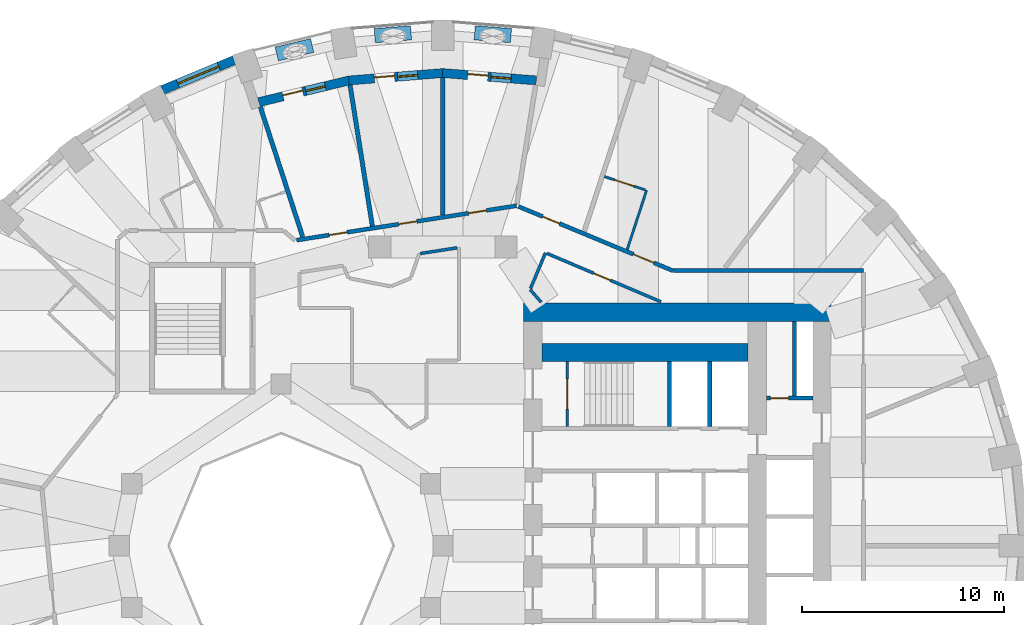
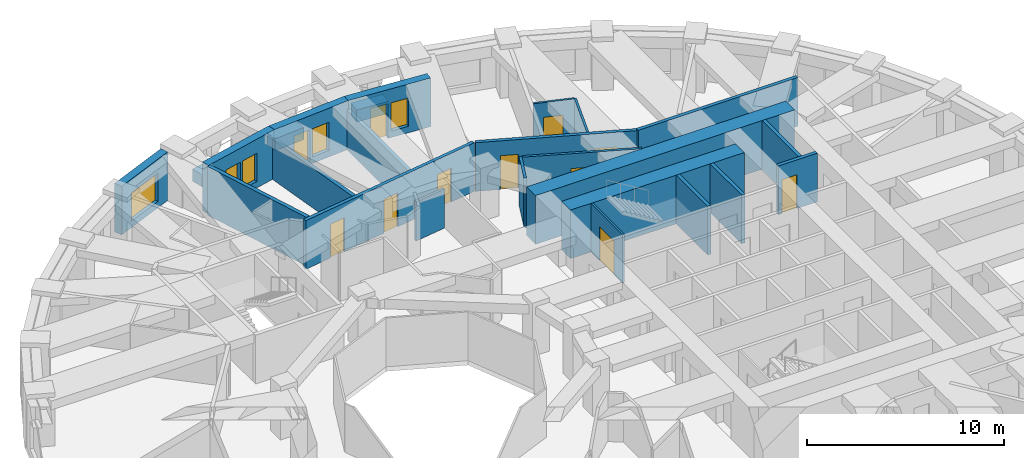
# One storey, part 8 of 13: 26 walls, 12 doors, 4 windows, 16 openings.
"""IFC4 building model written with IfcOpenShell, lengths in metres."""

from ifc_helpers import new_model, si_unit, direction, frame, frame_2d, origin, place, context, subcontext, project, spatial, rectangle, extrude, material, layer, layer_set, constituent, constituent_set, type_object, element, fill, save


model = new_model("IFC4")

# Units and contexts
model_context = context("Model", 3, precision=1e-05, world=origin(), true_north=direction((0.0, 1.0)))
body_context = subcontext(model_context, "Body", "Model", "MODEL_VIEW")
ifc_project = project(units=[si_unit("LENGTHUNIT", "METRE"), si_unit("AREAUNIT", "SQUARE_METRE"), si_unit("VOLUMEUNIT", "CUBIC_METRE"), si_unit("PLANEANGLEUNIT", "RADIAN"), si_unit("MASSUNIT", "GRAM", prefix="KILO")], contexts=[model_context])

# Site, building, storey
site_placement = place(None, origin())
site = spatial("IfcSite", under=ifc_project, at=site_placement, CompositionType="ELEMENT")
building_placement = place(site_placement, origin())
building = spatial("IfcBuilding", under=site, at=building_placement, Name="Taillehof Tower", CompositionType="ELEMENT")
storey_placement = place(building_placement, frame((0.0, 0.0, 58.0)))
storey = spatial("IfcBuildingStorey", under=building, at=storey_placement, Name="L15", CompositionType="ELEMENT", Elevation=58.0)

# Wall, opening, window
ifc_material_1 = material(Name="Brick masonry", Category="masonry")
ifc_layer_1 = layer(ifc_material_1, 0.449951171875)
ifc_layer_set_1 = layer_set([ifc_layer_1], Name="Brick infill wall 450")
wall_type_1 = type_object("IfcWallType", Name="Brick infill wall 450", PredefinedType="SOLIDWALL", material=ifc_layer_set_1)
wall_1_placement = place(storey_placement, frame((-10.3154296875, 24.02099609375, 0.0), z_axis=(0.0, 0.0, 1.0), x_axis=(-0.923031964282, -0.384723267966, 0.0)))
wall_1 = element("IfcWall", 1, at=wall_1_placement, inside=storey, type_object=wall_type_1, Name="Brick wall L15 bay 12", PredefinedType="SOLIDWALL", context=body_context, shape_type="SweptSolid", body=[
    extrude(rectangle(XDim=3.8564453125, YDim=0.449951171875, at=frame_2d((1.92822265625, 0.0))), origin(), (0.0, 0.0, 1.0), 3.02001953125),
])
opening_1_placement = place(wall_1_placement, frame((0.828125, 0.0, 0.39990234375)))
opening_1 = element("IfcOpeningElement", 2, at=opening_1_placement, cuts=wall_1, Name="Opening W1", PredefinedType="OPENING", context=body_context, shape_type="SweptSolid", body=[
    extrude(rectangle(XDim=2.199951171875, YDim=1.75, at=frame_2d((1.10009765625, 0.875))), frame((0.0, 0.23486328125, 0.0), z_axis=(0.0, -1.0, 0.0), x_axis=(1.0, 0.0, 0.0)), (0.0, 0.0, 1.0), 0.469970703125),
])
ifc_material_2 = material(Name="Aluminium window frame with clear double glazing", Category="aluminium")
window_type_1 = type_object("IfcWindowType", Name="Deep-set window 2200x1750", PartitioningType="SINGLE_PANEL", PredefinedType="WINDOW", material=ifc_material_2)
window_1_placement = place(opening_1_placement, origin())
window_1 = element("IfcWindow", 3, at=window_1_placement, inside=storey, type_object=window_type_1, Name="W1", OverallHeight=1.75, OverallWidth=2.199951171875, PartitioningType="SINGLE_PANEL", PredefinedType="WINDOW", context=body_context, shape_type="SweptSolid", body=[
    extrude(rectangle(XDim=2.199951171875, YDim=1.75, at=frame_2d((1.10009765625, 0.875))), frame((0.0, 0.034912109375, 0.0), z_axis=(0.0, -1.0, 0.0), x_axis=(1.0, 0.0, 0.0)), (0.0, 0.0, 1.0), 0.06005859375),
])
fill(opening_1, window_1)

# Wall, openings, door, window
wall_2_placement = place(storey_placement, frame((4.625732421875, 23.011474609375, 0.0), z_axis=(0.0, 0.0, 1.0), x_axis=(-0.996937095772, 0.078207589615, 0.0)))
wall_2 = element("IfcWall", 4, at=wall_2_placement, inside=storey, type_object=wall_type_1, Name="Brick wall L15 pocket bay 9", PredefinedType="SOLIDWALL", context=body_context, shape_type="SweptSolid", body=[
    extrude(rectangle(XDim=4.657470703125, YDim=0.449951171875, at=frame_2d((2.32861328125, 0.0))), origin(), (0.0, 0.0, 1.0), 3.02001953125),
])
opening_2_placement = place(wall_2_placement, frame((1.25390625, 0.0, 0.39990234375)))
opening_2 = element("IfcOpeningElement", 5, at=opening_2_placement, cuts=wall_2, Name="Opening W5", PredefinedType="OPENING", context=body_context, shape_type="SweptSolid", body=[
    extrude(rectangle(XDim=1.0, YDim=1.75, at=frame_2d((0.5, 0.875))), frame((0.0, 0.23486328125, 0.0), z_axis=(0.0, -1.0, 0.0), x_axis=(1.0, 0.0, 0.0)), (0.0, 0.0, 1.0), 0.469970703125),
])
opening_3_placement = place(wall_2_placement, frame((2.40380859375, 0.0, 0.0)))
opening_3 = element("IfcOpeningElement", 6, at=opening_3_placement, cuts=wall_2, Name="Opening D1591", PredefinedType="OPENING", context=body_context, shape_type="SweptSolid", body=[
    extrude(rectangle(XDim=1.0, YDim=2.14990234375, at=frame_2d((0.5, 1.074951171875))), frame((0.0, 0.23486328125, 0.0), z_axis=(0.0, -1.0, 0.0), x_axis=(1.0, 0.0, 0.0)), (0.0, 0.0, 1.0), 0.469970703125),
])
ifc_material_3 = material(Name="Aluminium door frame with clear double glazing", Category="aluminium")
door_type_1 = type_object("IfcDoorType", Name="Balcony door 1000x2150", OperationType="SINGLE_SWING_RIGHT", PredefinedType="DOOR", material=ifc_material_3)
door_1_placement = place(opening_3_placement, frame((1.0, 0.0, 0.0), z_axis=(0.0, 0.0, 1.0), x_axis=(-1.0, 0.0, 0.0)))
door_1 = element("IfcDoor", 7, at=door_1_placement, inside=storey, type_object=door_type_1, Name="Balcony door L15 bay 9", OperationType="SINGLE_SWING_RIGHT", OverallHeight=2.14990234375, OverallWidth=1.0, PredefinedType="DOOR", context=body_context, shape_type="SweptSolid", body=[
    extrude(rectangle(XDim=1.0, YDim=2.14990234375, at=frame_2d((0.5, 1.074951171875))), frame((0.0, 0.0751953125, 0.0), z_axis=(0.0, -1.0, 0.0), x_axis=(1.0, 0.0, 0.0)), (0.0, 0.0, 1.0), 0.050048828125),
])
fill(opening_3, door_1)
ifc_material_4 = material(Name="Aluminium window frame with clear double glazing", Category="aluminium")
window_type_2 = type_object("IfcWindowType", Name="Fixed window 1000x1750", PartitioningType="SINGLE_PANEL", PredefinedType="WINDOW", material=ifc_material_4)
window_2_placement = place(opening_2_placement, origin())
window_2 = element("IfcWindow", 8, at=window_2_placement, inside=storey, type_object=window_type_2, Name="W5", OverallHeight=1.75, OverallWidth=1.0, PartitioningType="SINGLE_PANEL", PredefinedType="WINDOW", context=body_context, shape_type="SweptSolid", body=[
    extrude(rectangle(XDim=1.0, YDim=1.75, at=frame_2d((0.5, 0.875))), frame((0.0, 0.034912109375, 0.0), z_axis=(0.0, -1.0, 0.0), x_axis=(1.0, 0.0, 0.0)), (0.0, 0.0, 1.0), 0.06005859375),
])
fill(opening_2, window_2)

wall_3_placement = place(storey_placement, frame((0.017578125, 23.375732421875, 0.0), z_axis=(0.0, 0.0, 1.0), x_axis=(-0.996935982964, -0.078221773648, 0.0)))
wall_3 = element("IfcWall", 9, at=wall_3_placement, inside=storey, type_object=wall_type_1, Name="Brick wall L15 pocket bay 10", PredefinedType="SOLIDWALL", context=body_context, shape_type="SweptSolid", body=[
    extrude(rectangle(XDim=4.675537109375, YDim=0.449951171875, at=frame_2d((2.337890625, 0.0))), origin(), (0.0, 0.0, 1.0), 3.02001953125),
])
opening_4_placement = place(wall_3_placement, frame((1.2626953125, 0.0, 0.39990234375)))
opening_4 = element("IfcOpeningElement", 10, at=opening_4_placement, cuts=wall_3, Name="Opening W5", PredefinedType="OPENING", context=body_context, shape_type="SweptSolid", body=[
    extrude(rectangle(XDim=1.0, YDim=1.75, at=frame_2d((0.5, 0.875))), frame((0.0, 0.23486328125, 0.0), z_axis=(0.0, -1.0, 0.0), x_axis=(1.0, 0.0, 0.0)), (0.0, 0.0, 1.0), 0.469970703125),
])
opening_5_placement = place(wall_3_placement, frame((2.41259765625, 0.0, 0.0)))
opening_5 = element("IfcOpeningElement", 11, at=opening_5_placement, cuts=wall_3, Name="Opening D1592", PredefinedType="OPENING", context=body_context, shape_type="SweptSolid", body=[
    extrude(rectangle(XDim=1.0, YDim=2.14990234375, at=frame_2d((0.5, 1.074951171875))), frame((0.0, 0.23486328125, 0.0), z_axis=(0.0, -1.0, 0.0), x_axis=(1.0, 0.0, 0.0)), (0.0, 0.0, 1.0), 0.469970703125),
])
door_2_placement = place(opening_5_placement, frame((1.0, 0.0, 0.0), z_axis=(0.0, 0.0, 1.0), x_axis=(-1.0, 0.0, 0.0)))
door_2 = element("IfcDoor", 12, at=door_2_placement, inside=storey, type_object=door_type_1, Name="Balcony door L15 bay 10", OperationType="SINGLE_SWING_LEFT", OverallHeight=2.14990234375, OverallWidth=1.0, PredefinedType="DOOR", context=body_context, shape_type="SweptSolid", body=[
    extrude(rectangle(XDim=1.0, YDim=2.14990234375, at=frame_2d((0.5, 1.074951171875))), frame((0.0, 0.0751953125, 0.0), z_axis=(0.0, -1.0, 0.0), x_axis=(1.0, 0.0, 0.0)), (0.0, 0.0, 1.0), 0.050048828125),
])
fill(opening_5, door_2)
window_3_placement = place(opening_4_placement, origin())
window_3 = element("IfcWindow", 13, at=window_3_placement, inside=storey, type_object=window_type_2, Name="W5", OverallHeight=1.75, OverallWidth=1.0, PartitioningType="SINGLE_PANEL", PredefinedType="WINDOW", context=body_context, shape_type="SweptSolid", body=[
    extrude(rectangle(XDim=1.0, YDim=1.75, at=frame_2d((0.5, 0.875))), frame((0.0, 0.034912109375, 0.0), z_axis=(0.0, -1.0, 0.0), x_axis=(1.0, 0.0, 0.0)), (0.0, 0.0, 1.0), 0.06005859375),
])
fill(opening_4, window_3)

wall_4_placement = place(storey_placement, frame((-4.6083984375, 23.015625, 0.0), z_axis=(0.0, 0.0, 1.0), x_axis=(-0.972343667289, -0.233554688847, 0.0)))
wall_4 = element("IfcWall", 14, at=wall_4_placement, inside=storey, type_object=wall_type_1, Name="Brick wall L15 pocket bay 11", PredefinedType="SOLIDWALL", context=body_context, shape_type="SweptSolid", body=[
    extrude(rectangle(XDim=4.62353515625, YDim=0.449951171875, at=frame_2d((2.311767578125, 0.0))), origin(), (0.0, 0.0, 1.0), 3.02001953125),
])
opening_6_placement = place(wall_4_placement, frame((1.23681640625, 0.0, 0.39990234375)))
opening_6 = element("IfcOpeningElement", 15, at=opening_6_placement, cuts=wall_4, Name="Opening W5", PredefinedType="OPENING", context=body_context, shape_type="SweptSolid", body=[
    extrude(rectangle(XDim=1.0, YDim=1.75, at=frame_2d((0.5, 0.875))), frame((0.0, 0.23486328125, 0.0), z_axis=(0.0, -1.0, 0.0), x_axis=(1.0, 0.0, 0.0)), (0.0, 0.0, 1.0), 0.469970703125),
])
opening_7_placement = place(wall_4_placement, frame((2.38671875, 0.0, 0.0)))
opening_7 = element("IfcOpeningElement", 16, at=opening_7_placement, cuts=wall_4, Name="Opening D1593", PredefinedType="OPENING", context=body_context, shape_type="SweptSolid", body=[
    extrude(rectangle(XDim=1.0, YDim=2.14990234375, at=frame_2d((0.5, 1.074951171875))), frame((0.0, 0.23486328125, 0.0), z_axis=(0.0, -1.0, 0.0), x_axis=(1.0, 0.0, 0.0)), (0.0, 0.0, 1.0), 0.469970703125),
])
door_3_placement = place(opening_7_placement, frame((1.0, 0.0, 0.0), z_axis=(0.0, 0.0, 1.0), x_axis=(-1.0, 0.0, 0.0)))
door_3 = element("IfcDoor", 17, at=door_3_placement, inside=storey, type_object=door_type_1, Name="Balcony door L15 bay 11", OperationType="SINGLE_SWING_LEFT", OverallHeight=2.14990234375, OverallWidth=1.0, PredefinedType="DOOR", context=body_context, shape_type="SweptSolid", body=[
    extrude(rectangle(XDim=1.0, YDim=2.14990234375, at=frame_2d((0.5, 1.074951171875))), frame((0.0, 0.0751953125, 0.0), z_axis=(0.0, -1.0, 0.0), x_axis=(1.0, 0.0, 0.0)), (0.0, 0.0, 1.0), 0.050048828125),
])
fill(opening_7, door_3)
window_4_placement = place(opening_6_placement, origin())
window_4 = element("IfcWindow", 18, at=window_4_placement, inside=storey, type_object=window_type_2, Name="W5", OverallHeight=1.75, OverallWidth=1.0, PartitioningType="SINGLE_PANEL", PredefinedType="WINDOW", context=body_context, shape_type="SweptSolid", body=[
    extrude(rectangle(XDim=1.0, YDim=1.75, at=frame_2d((0.5, 0.875))), frame((0.0, 0.034912109375, 0.0), z_axis=(0.0, -1.0, 0.0), x_axis=(1.0, 0.0, 0.0)), (0.0, 0.0, 1.0), 0.06005859375),
])
fill(opening_6, window_4)

# Wall, opening, door
ifc_material_5 = material(Name="Calcium silicate masonry", Category="masonry")
ifc_layer_2 = layer(ifc_material_5, 0.199951171875)
ifc_layer_set_2 = layer_set([ifc_layer_2], Name="Compartment wall calcium silicate 200")
wall_type_2 = type_object("IfcWallType", Name="Compartment wall calcium silicate 200", PredefinedType="PARTITIONING", material=ifc_layer_set_2)
wall_5_placement = place(storey_placement, frame((16.0, 7.300048828125, 0.0), z_axis=(0.0, 0.0, 1.0), x_axis=(1.0, 0.0, 0.0)))
wall_5 = element("IfcWall", 19, at=wall_5_placement, inside=storey, type_object=wall_type_2, Name="Compartment wall FW", PredefinedType="PARTITIONING", context=body_context, shape_type="SweptSolid", body=[
    extrude(rectangle(XDim=2.300048828125, YDim=0.199951171875, at=frame_2d((1.14990234375, 0.0))), origin(), (0.0, 0.0, 1.0), 3.02001953125),
])
opening_8_placement = place(wall_5_placement, frame((0.199951171875, 0.0, 0.0)))
opening_8 = element("IfcOpeningElement", 20, at=opening_8_placement, cuts=wall_5, Name="Opening D1516", PredefinedType="OPENING", context=body_context, shape_type="SweptSolid", body=[
    extrude(rectangle(XDim=0.89990234375, YDim=2.10009765625, at=frame_2d((0.449951171875, 1.050048828125))), frame((0.0, 0.10986328125, 0.0), z_axis=(0.0, -1.0, 0.0), x_axis=(1.0, 0.0, 0.0)), (0.0, 0.0, 1.0), 0.219970703125),
])
ifc_material_6 = material(Name="Steel-faced fire door", Category="steel")
door_type_2 = type_object("IfcDoorType", Name="Riser and service room door 900x2100", OperationType="SINGLE_SWING_LEFT", PredefinedType="DOOR", material=ifc_material_6)
door_4_placement = place(opening_8_placement, origin())
door_4 = element("IfcDoor", 21, at=door_4_placement, inside=storey, type_object=door_type_2, Name="Door Store", OperationType="SINGLE_SWING_RIGHT", OverallHeight=2.10009765625, OverallWidth=0.89990234375, PredefinedType="DOOR", context=body_context, shape_type="SweptSolid", body=[
    extrude(rectangle(XDim=0.89990234375, YDim=2.10009765625, at=frame_2d((0.449951171875, 1.050048828125))), frame((0.0, 0.02490234375, 0.0), z_axis=(0.0, -1.0, 0.0), x_axis=(1.0, 0.0, 0.0)), (0.0, 0.0, 1.0), 0.050048828125),
])
fill(opening_8, door_4)

# Wall
wall_6_placement = place(storey_placement, frame((17.39990234375, 7.39990234375, 0.0), z_axis=(0.0, 0.0, 1.0), x_axis=(0.0, 1.0, 0.0)))
element("IfcWall", 22, at=wall_6_placement, inside=storey, type_object=wall_type_2, Name="Compartment wall FW", PredefinedType="PARTITIONING", context=body_context, shape_type="SweptSolid", body=[
    extrude(rectangle(XDim=3.7001953125, YDim=0.199951171875, at=frame_2d((1.85009765625, 0.0))), origin(), (0.0, 0.0, 1.0), 3.02001953125),
])

# Wall, openings, doors
ifc_material_7 = material(Name="Gypsum board on steel studs, two layers each side", Category="steel")
ifc_layer_3 = layer(ifc_material_7, 0.199951171875)
ifc_layer_set_3 = layer_set([ifc_layer_3], Name="Compartment wall corridor 200")
wall_type_3 = type_object("IfcWallType", Name="Compartment wall corridor 200", PredefinedType="PARTITIONING", material=ifc_layer_set_3)
wall_7_placement = place(storey_placement, frame((-7.233642578125, 15.1103515625, 0.0), z_axis=(0.0, 0.0, 1.0), x_axis=(0.987957763282, 0.154723811906, 0.0)))
wall_7 = element("IfcWall", 23, at=wall_7_placement, inside=storey, type_object=wall_type_3, Name="Compartment wall", PredefinedType="PARTITIONING", context=body_context, shape_type="SweptSolid", body=[
    extrude(rectangle(XDim=11.01220703125, YDim=0.199951171875, at=frame_2d((5.506103515625, 0.0))), origin(), (0.0, 0.0, 1.0), 3.02001953125),
])
opening_9_placement = place(wall_7_placement, frame((8.604736328125, 0.0, 0.0)))
opening_9 = element("IfcOpeningElement", 24, at=opening_9_placement, cuts=wall_7, Name="Opening D1543", PredefinedType="OPENING", context=body_context, shape_type="SweptSolid", body=[
    extrude(rectangle(XDim=0.89990234375, YDim=2.10009765625, at=frame_2d((0.449951171875, 1.050048828125))), frame((0.0, 0.10986328125, 0.0), z_axis=(0.0, -1.0, 0.0), x_axis=(1.0, 0.0, 0.0)), (0.0, 0.0, 1.0), 0.219970703125),
])
opening_10_placement = place(wall_7_placement, frame((5.11572265625, 0.0, 0.0)))
opening_10 = element("IfcOpeningElement", 25, at=opening_10_placement, cuts=wall_7, Name="Opening D1544", PredefinedType="OPENING", context=body_context, shape_type="SweptSolid", body=[
    extrude(rectangle(XDim=0.89990234375, YDim=2.10009765625, at=frame_2d((0.449951171875, 1.050048828125))), frame((0.0, 0.10986328125, 0.0), z_axis=(0.0, -1.0, 0.0), x_axis=(1.0, 0.0, 0.0)), (0.0, 0.0, 1.0), 0.219970703125),
])
opening_11_placement = place(wall_7_placement, frame((1.62646484375, 0.0, 0.0)))
opening_11 = element("IfcOpeningElement", 26, at=opening_11_placement, cuts=wall_7, Name="Opening D1545", PredefinedType="OPENING", context=body_context, shape_type="SweptSolid", body=[
    extrude(rectangle(XDim=0.89990234375, YDim=2.10009765625, at=frame_2d((0.449951171875, 1.050048828125))), frame((0.0, 0.10986328125, 0.0), z_axis=(0.0, -1.0, 0.0), x_axis=(1.0, 0.0, 0.0)), (0.0, 0.0, 1.0), 0.219970703125),
])
ifc_material_8 = material(Name="Timber door leaf in steel frame", Category="steel")
door_type_3 = type_object("IfcDoorType", Name="Service room door EI 30 900 x 2100", OperationType="SINGLE_SWING_LEFT", PredefinedType="DOOR", material=ifc_material_8)
door_5_placement = place(opening_9_placement, origin())
door_5 = element("IfcDoor", 27, at=door_5_placement, inside=storey, type_object=door_type_3, Name="D1543", OperationType="SINGLE_SWING_LEFT", OverallHeight=2.10009765625, OverallWidth=0.89990234375, PredefinedType="DOOR", context=body_context, shape_type="SweptSolid", body=[
    extrude(rectangle(XDim=0.89990234375, YDim=2.10009765625, at=frame_2d((0.449951171875, 1.050048828125))), frame((0.0, 0.02490234375, 0.0), z_axis=(0.0, -1.0, 0.0), x_axis=(1.0, 0.0, 0.0)), (0.0, 0.0, 1.0), 0.050048828125),
])
fill(opening_9, door_5)
door_6_placement = place(opening_10_placement, origin())
door_6 = element("IfcDoor", 28, at=door_6_placement, inside=storey, type_object=door_type_3, Name="D1544", OperationType="SINGLE_SWING_LEFT", OverallHeight=2.10009765625, OverallWidth=0.89990234375, PredefinedType="DOOR", context=body_context, shape_type="SweptSolid", body=[
    extrude(rectangle(XDim=0.89990234375, YDim=2.10009765625, at=frame_2d((0.449951171875, 1.050048828125))), frame((0.0, 0.02490234375, 0.0), z_axis=(0.0, -1.0, 0.0), x_axis=(1.0, 0.0, 0.0)), (0.0, 0.0, 1.0), 0.050048828125),
])
fill(opening_10, door_6)
door_7_placement = place(opening_11_placement, origin())
door_7 = element("IfcDoor", 29, at=door_7_placement, inside=storey, type_object=door_type_3, Name="D1545", OperationType="SINGLE_SWING_RIGHT", OverallHeight=2.10009765625, OverallWidth=0.89990234375, PredefinedType="DOOR", context=body_context, shape_type="SweptSolid", body=[
    extrude(rectangle(XDim=0.89990234375, YDim=2.10009765625, at=frame_2d((0.449951171875, 1.050048828125))), frame((0.0, 0.02490234375, 0.0), z_axis=(0.0, -1.0, 0.0), x_axis=(1.0, 0.0, 0.0)), (0.0, 0.0, 1.0), 0.050048828125),
])
fill(opening_11, door_7)

wall_8_placement = place(storey_placement, frame((3.73876953125, 16.7763671875, 0.0), z_axis=(0.0, 0.0, 1.0), x_axis=(0.923364778497, -0.383923802117, 0.0)))
wall_8 = element("IfcWall", 30, at=wall_8_placement, inside=storey, type_object=wall_type_3, Name="Compartment wall", PredefinedType="PARTITIONING", context=body_context, shape_type="SweptSolid", body=[
    extrude(rectangle(XDim=8.273193359375, YDim=0.199951171875, at=frame_2d((4.13671875, 0.0))), origin(), (0.0, 0.0, 1.0), 3.02001953125),
])
opening_12_placement = place(wall_8_placement, frame((6.152587890625, 0.0, 0.0)))
opening_12 = element("IfcOpeningElement", 31, at=opening_12_placement, cuts=wall_8, Name="Opening D1540", PredefinedType="OPENING", context=body_context, shape_type="SweptSolid", body=[
    extrude(rectangle(XDim=1.10009765625, YDim=2.10009765625, at=frame_2d((0.550048828125, 1.050048828125))), frame((0.0, 0.10986328125, 0.0), z_axis=(0.0, -1.0, 0.0), x_axis=(1.0, 0.0, 0.0)), (0.0, 0.0, 1.0), 0.219970703125),
])
opening_13_placement = place(wall_8_placement, frame((1.2978515625, 0.0, 0.0)))
opening_13 = element("IfcOpeningElement", 32, at=opening_13_placement, cuts=wall_8, Name="Opening D1542", PredefinedType="OPENING", context=body_context, shape_type="SweptSolid", body=[
    extrude(rectangle(XDim=0.89990234375, YDim=2.10009765625, at=frame_2d((0.449951171875, 1.050048828125))), frame((0.0, 0.10986328125, 0.0), z_axis=(0.0, -1.0, 0.0), x_axis=(1.0, 0.0, 0.0)), (0.0, 0.0, 1.0), 0.219970703125),
])
ifc_material_9 = material(Name="Timber door leaf in steel frame", Category="steel")
door_type_4 = type_object("IfcDoorType", Name="Accessible guest room door EI 30 1100 x 2100", OperationType="SINGLE_SWING_LEFT", PredefinedType="DOOR", material=ifc_material_9)
door_8_placement = place(opening_12_placement, origin())
door_8 = element("IfcDoor", 33, at=door_8_placement, inside=storey, type_object=door_type_4, Name="D1540", OperationType="SINGLE_SWING_LEFT", OverallHeight=2.10009765625, OverallWidth=1.10009765625, PredefinedType="DOOR", context=body_context, shape_type="SweptSolid", body=[
    extrude(rectangle(XDim=1.10009765625, YDim=2.10009765625, at=frame_2d((0.550048828125, 1.050048828125))), frame((0.0, 0.02490234375, 0.0), z_axis=(0.0, -1.0, 0.0), x_axis=(1.0, 0.0, 0.0)), (0.0, 0.0, 1.0), 0.050048828125),
])
fill(opening_12, door_8)
door_9_placement = place(opening_13_placement, origin())
door_9 = element("IfcDoor", 34, at=door_9_placement, inside=storey, type_object=door_type_3, Name="D1542", OperationType="SINGLE_SWING_RIGHT", OverallHeight=2.10009765625, OverallWidth=0.89990234375, PredefinedType="DOOR", context=body_context, shape_type="SweptSolid", body=[
    extrude(rectangle(XDim=0.89990234375, YDim=2.10009765625, at=frame_2d((0.449951171875, 1.050048828125))), frame((0.0, 0.02490234375, 0.0), z_axis=(0.0, -1.0, 0.0), x_axis=(1.0, 0.0, 0.0)), (0.0, 0.0, 1.0), 0.050048828125),
])
fill(opening_13, door_9)

# Walls
wall_9_placement = place(storey_placement, frame((11.41796875, 13.60009765625, 0.0), z_axis=(0.0, 0.0, 1.0), x_axis=(1.0, 0.0, 0.0)))
element("IfcWall", 35, at=wall_9_placement, inside=storey, type_object=wall_type_3, Name="Compartment wall", PredefinedType="PARTITIONING", context=body_context, shape_type="SweptSolid", body=[
    extrude(rectangle(XDim=9.382080078125, YDim=0.199951171875, at=frame_2d((4.69091796875, 0.0))), origin(), (0.0, 0.0, 1.0), 3.02001953125),
])
ifc_material_10 = material(Name="Gypsum board on double steel studs with mineral wool", Category="steel")
ifc_layer_4 = layer(ifc_material_10, 0.219970703125)
ifc_layer_set_4 = layer_set([ifc_layer_4], Name="Compartment wall guest room 220")
wall_type_4 = type_object("IfcWallType", Name="Compartment wall guest room 220", PredefinedType="PARTITIONING", material=ifc_layer_set_4)
wall_10_placement = place(storey_placement, frame((0.0, 23.148681640625, 0.0), z_axis=(0.0, 0.0, 1.0), x_axis=(0.0, -1.0, 0.0)))
element("IfcWall", 36, at=wall_10_placement, inside=storey, type_object=wall_type_4, Name="Compartment wall", PredefinedType="PARTITIONING", context=body_context, shape_type="SweptSolid", body=[
    extrude(rectangle(XDim=6.784423828125, YDim=0.219970703125, at=frame_2d((3.39208984375, 0.0))), origin(), (0.0, 0.0, 1.0), 2.469970703125),
])
wall_11_placement = place(storey_placement, frame((-4.590576171875, 22.78857421875, 0.0), z_axis=(0.0, 0.0, 1.0), x_axis=(0.15613617795, -0.987735538459, 0.0)))
element("IfcWall", 37, at=wall_11_placement, inside=storey, type_object=wall_type_4, Name="Compartment wall", PredefinedType="PARTITIONING", context=body_context, shape_type="SweptSolid", body=[
    extrude(rectangle(XDim=7.0771484375, YDim=0.219970703125, at=frame_2d((3.53857421875, 0.0))), origin(), (0.0, 0.0, 1.0), 2.469970703125),
])
wall_12_placement = place(storey_placement, frame((-9.033935546875, 21.72119140625, 0.0), z_axis=(0.0, 0.0, 1.0), x_axis=(0.310212430052, -0.950667264736, 0.0)))
element("IfcWall", 38, at=wall_12_placement, inside=storey, type_object=wall_type_4, Name="Compartment wall", PredefinedType="PARTITIONING", context=body_context, shape_type="SweptSolid", body=[
    extrude(rectangle(XDim=6.77685546875, YDim=0.219970703125, at=frame_2d((3.388427734375, 0.0))), origin(), (0.0, 0.0, 1.0), 3.02001953125),
])
ifc_material_11 = material(Name="Gypsum board on steel studs, two layers each side", Category="steel")
ifc_layer_5 = layer(ifc_material_11, 0.14990234375)
ifc_layer_set_5 = layer_set([ifc_layer_5], Name="Compartment wall service room 150")
wall_type_5 = type_object("IfcWallType", Name="Compartment wall service room 150", PredefinedType="PARTITIONING", material=ifc_layer_set_5)
wall_13_placement = place(storey_placement, frame((-1.116455078125, 14.448974609375, 0.0), z_axis=(0.0, 0.0, 1.0), x_axis=(0.988017726025, 0.154340445315, 0.0)))
element("IfcWall", 39, at=wall_13_placement, inside=storey, type_object=wall_type_5, Name="Compartment wall", PredefinedType="PARTITIONING", context=body_context, shape_type="SweptSolid", body=[
    extrude(rectangle(XDim=1.839599609375, YDim=0.14990234375, at=frame_2d((0.919921875, 0.0))), origin(), (0.0, 0.0, 1.0), 2.419921875),
])
wall_14_placement = place(storey_placement, frame((4.864501953125, 12.04150390625, 0.0), z_axis=(0.0, 0.0, 1.0), x_axis=(-0.660014599896, 0.751252772323, 0.0)))
element("IfcWall", 40, at=wall_14_placement, inside=storey, type_object=wall_type_5, Name="Compartment wall", PredefinedType="PARTITIONING", context=body_context, shape_type="SweptSolid", body=[
    extrude(rectangle(XDim=0.8349609375, YDim=0.14990234375, at=frame_2d((0.41748046875, 0.0))), origin(), (0.0, 0.0, 1.0), 2.570068359375),
])
wall_15_placement = place(storey_placement, frame((4.3369140625, 12.724365234375, 0.0), z_axis=(0.0, 0.0, 1.0), x_axis=(0.386537433901, 0.922273718694, 0.0)))
element("IfcWall", 41, at=wall_15_placement, inside=storey, type_object=wall_type_5, Name="Compartment wall", PredefinedType="PARTITIONING", context=body_context, shape_type="SweptSolid", body=[
    extrude(rectangle(XDim=1.9111328125, YDim=0.14990234375, at=frame_2d((0.95556640625, 0.0))), origin(), (0.0, 0.0, 1.0), 3.02001953125),
])

# Wall, opening, door
wall_16_placement = place(storey_placement, frame((5.14892578125, 14.455810546875, 0.0), z_axis=(0.0, 0.0, 1.0), x_axis=(0.920541383735, -0.390645057348, 0.0)))
wall_16 = element("IfcWall", 42, at=wall_16_placement, inside=storey, type_object=wall_type_5, Name="Compartment wall", PredefinedType="PARTITIONING", context=body_context, shape_type="SweptSolid", body=[
    extrude(rectangle(XDim=6.1240234375, YDim=0.14990234375, at=frame_2d((3.06201171875, 0.0))), origin(), (0.0, 0.0, 1.0), 3.02001953125),
])
opening_14_placement = place(wall_16_placement, frame((2.508056640625, 0.0, 0.0)))
opening_14 = element("IfcOpeningElement", 43, at=opening_14_placement, cuts=wall_16, Name="Opening D1569", PredefinedType="OPENING", context=body_context, shape_type="SweptSolid", body=[
    extrude(rectangle(XDim=0.89990234375, YDim=2.10009765625, at=frame_2d((0.449951171875, 1.050048828125))), frame((0.0, 0.0849609375, 0.0), z_axis=(0.0, -1.0, 0.0), x_axis=(1.0, 0.0, 0.0)), (0.0, 0.0, 1.0), 0.169921875),
])
door_10_placement = place(opening_14_placement, origin())
door_10 = element("IfcDoor", 44, at=door_10_placement, inside=storey, type_object=door_type_3, Name="D1569", OperationType="SINGLE_SWING_RIGHT", OverallHeight=2.10009765625, OverallWidth=0.89990234375, PredefinedType="DOOR", context=body_context, shape_type="SweptSolid", body=[
    extrude(rectangle(XDim=0.89990234375, YDim=2.10009765625, at=frame_2d((0.449951171875, 1.050048828125))), frame((0.0, 0.02490234375, 0.0), z_axis=(0.0, -1.0, 0.0), x_axis=(1.0, 0.0, 0.0)), (0.0, 0.0, 1.0), 0.050048828125),
])
fill(opening_14, door_10)

# Walls
ifc_material_12 = material(Name="Concrete C80/95", Category="concrete")
ifc_layer_6 = layer(ifc_material_12, 0.89990234375)
ifc_layer_set_6 = layer_set([ifc_layer_6], Name="Core wall C80/95 900")
wall_type_6 = type_object("IfcWallType", Name="Core wall C80/95 900", PredefinedType="SHEAR", material=ifc_layer_set_6)
wall_17_placement = place(storey_placement, frame((4.0, 11.550048828125, 0.0), z_axis=(0.0, 0.0, 1.0), x_axis=(1.0, 0.0, 0.0)))
element("IfcWall", 45, at=wall_17_placement, inside=storey, type_object=wall_type_6, Name="Core wall CW03", PredefinedType="SHEAR", context=body_context, shape_type="SweptSolid", body=[
    extrude(rectangle(XDim=15.199951171875, YDim=0.89990234375, at=frame_2d((7.60009765625, 0.0))), origin(), (0.0, 0.0, 1.0), 3.02001953125),
])
wall_18_placement = place(storey_placement, frame((4.89990234375, 9.550048828125, 0.0), z_axis=(0.0, 0.0, 1.0), x_axis=(1.0, 0.0, 0.0)))
element("IfcWall", 46, at=wall_18_placement, inside=storey, type_object=wall_type_6, Name="Core wall CW06", PredefinedType="SHEAR", context=body_context, shape_type="SweptSolid", body=[
    extrude(rectangle(XDim=10.2001953125, YDim=0.89990234375, at=frame_2d((5.10009765625, 0.0))), origin(), (0.0, 0.0, 1.0), 3.02001953125),
])
ifc_material_13 = material(Name="Gypsum board on steel studs, moisture resistant", Category="steel")
ifc_layer_7 = layer(ifc_material_13, 0.1201171875)
ifc_layer_set_7 = layer_set([ifc_layer_7], Name="En-suite wall 120")
wall_type_7 = type_object("IfcWallType", Name="En-suite wall 120", PredefinedType="PARTITIONING", material=ifc_layer_set_7)
wall_19_placement = place(storey_placement, frame((9.118408203125, 14.647705078125, 0.0), z_axis=(0.0, 0.0, 1.0), x_axis=(0.310277544614, 0.950646014723, 0.0)))
element("IfcWall", 47, at=wall_19_placement, inside=storey, type_object=wall_type_7, Name="En-suite wall", PredefinedType="PARTITIONING", context=body_context, shape_type="SweptSolid", body=[
    extrude(rectangle(XDim=3.08056640625, YDim=0.1201171875, at=frame_2d((1.540283203125, 0.0))), origin(), (0.0, 0.0, 1.0), 3.02001953125),
])

# Wall, opening, door
wall_20_placement = place(storey_placement, frame((10.01708984375, 17.594482421875, 0.0), z_axis=(0.0, 0.0, 1.0), x_axis=(-0.950613738429, 0.310376417129, 0.0)))
wall_20 = element("IfcWall", 48, at=wall_20_placement, inside=storey, type_object=wall_type_7, Name="En-suite wall", PredefinedType="PARTITIONING", context=body_context, shape_type="SweptSolid", body=[
    extrude(rectangle(XDim=2.130126953125, YDim=0.1201171875, at=frame_2d((1.06494140625, 0.0))), origin(), (0.0, 0.0, 1.0), 3.02001953125),
])
opening_15_placement = place(wall_20_placement, frame((0.590087890625, 0.0, 0.0)))
opening_15 = element("IfcOpeningElement", 49, at=opening_15_placement, cuts=wall_20, Name="Opening D1541", PredefinedType="OPENING", context=body_context, shape_type="SweptSolid", body=[
    extrude(rectangle(XDim=1.0, YDim=2.10009765625, at=frame_2d((0.5, 1.050048828125))), frame((0.0, 0.070068359375, 0.0), z_axis=(0.0, -1.0, 0.0), x_axis=(1.0, 0.0, 0.0)), (0.0, 0.0, 1.0), 0.14013671875),
])
ifc_material_14 = material(Name="Timber door leaf in steel frame", Category="steel")
door_type_5 = type_object("IfcDoorType", Name="Accessible en-suite door 1000 x 2100", OperationType="SINGLE_SWING_LEFT", PredefinedType="DOOR", material=ifc_material_14)
door_11_placement = place(opening_15_placement, origin())
door_11 = element("IfcDoor", 50, at=door_11_placement, inside=storey, type_object=door_type_5, Name="D1541", OperationType="SINGLE_SWING_LEFT", OverallHeight=2.10009765625, OverallWidth=1.0, PredefinedType="DOOR", context=body_context, shape_type="SweptSolid", body=[
    extrude(rectangle(XDim=1.0, YDim=2.10009765625, at=frame_2d((0.5, 1.050048828125))), frame((0.0, 0.02490234375, 0.0), z_axis=(0.0, -1.0, 0.0), x_axis=(1.0, 0.0, 0.0)), (0.0, 0.0, 1.0), 0.050048828125),
])
fill(opening_15, door_11)

# Walls
ifc_material_15 = material(Name="Concrete C30/37 precast", Category="concrete")
ifc_constituent_1 = constituent(ifc_material_15, Name="Structure", Category="concrete")
ifc_material_16 = material(Name="Insulated lining")
ifc_constituent_2 = constituent(ifc_material_16, Name="Lining")
ifc_constituent_set = constituent_set(constituents=[ifc_constituent_1, ifc_constituent_2], Name="Planter trough 700x750")
wall_type_8 = type_object("IfcWallType", Name="Planter trough 700x750", PredefinedType="USERDEFINED", material=ifc_constituent_set)
for number, where, z_axis, x_axis, name in (
    (51, (3.368896484375, 25.22509765625, 0.0), (0.0, 0.0, 1.0), (-0.996965267018, 0.077847648384, 0.0), "Planter L15 bay 9"),
    (52, (-1.57421875, 25.365234375, 0.0), (0.0, 0.0, 1.0), (-0.996965267018, -0.077847648384, 0.0), "Planter L15 bay 10"),
    (53, (-6.464599609375, 24.7373046875, 0.0), (0.0, 0.0, 1.0), (-0.972504142103, -0.232885580473, 0.0), "Planter L15 bay 11"),
):
    element("IfcWall", number, at=place(storey_placement, frame(where, z_axis=z_axis, x_axis=x_axis)), inside=storey, type_object=wall_type_8, Name=name, ObjectType="PLANTER", PredefinedType="USERDEFINED", context=body_context, shape_type="SweptSolid", body=[
        extrude(rectangle(XDim=1.800048828125, YDim=0.699951171875, at=frame_2d((0.89990234375, 0.0))), origin(), (0.0, 0.0, 1.0), 0.75),
    ])
ifc_material_17 = material(Name="Concrete C50/60", Category="concrete")
ifc_layer_8 = layer(ifc_material_17, 0.199951171875)
ifc_layer_set_8 = layer_set([ifc_layer_8], Name="Shaft wall C50/60 200")
wall_type_9 = type_object("IfcWallType", Name="Shaft wall C50/60 200", PredefinedType="SHEAR", material=ifc_layer_set_8)
for number, where, z_axis, x_axis, name in (
    (54, (11.199951171875, 5.89990234375, 0.0), (0.0, 0.0, 1.0), (0.0, 1.0, 0.0), "Shaft wall SW"),
    (55, (13.199951171875, 5.89990234375, 0.0), (0.0, 0.0, 1.0), (0.0, 1.0, 0.0), "Shaft wall SW"),
):
    element("IfcWall", number, at=place(storey_placement, frame(where, z_axis=z_axis, x_axis=x_axis)), inside=storey, type_object=wall_type_9, Name=name, PredefinedType="SHEAR", context=body_context, shape_type="SweptSolid", body=[
        extrude(rectangle(XDim=3.2001953125, YDim=0.199951171875, at=frame_2d((1.60009765625, 0.0))), origin(), (0.0, 0.0, 1.0), 3.02001953125),
    ])

# Wall, opening, door
ifc_material_18 = material(Name="Concrete C50/60", Category="concrete")
ifc_layer_9 = layer(ifc_material_18, 0.1201171875)
ifc_layer_set_9 = layer_set([ifc_layer_9], Name="Stair lobby wall C50/60 120")
wall_type_10 = type_object("IfcWallType", Name="Stair lobby wall C50/60 120", PredefinedType="SHEAR", material=ifc_layer_set_9)
wall_21_placement = place(storey_placement, frame((6.159912109375, 5.89990234375, 0.0), z_axis=(0.0, 0.0, 1.0), x_axis=(0.0, 1.0, 0.0)))
wall_21 = element("IfcWall", 56, at=wall_21_placement, inside=storey, type_object=wall_type_10, Name="Compartment wall SW", PredefinedType="SHEAR", context=body_context, shape_type="SweptSolid", body=[
    extrude(rectangle(XDim=3.2001953125, YDim=0.1201171875, at=frame_2d((1.60009765625, 0.0))), origin(), (0.0, 0.0, 1.0), 3.02001953125),
])
opening_16_placement = place(wall_21_placement, frame((0.85009765625, 0.0, 0.0)))
opening_16 = element("IfcOpeningElement", 57, at=opening_16_placement, cuts=wall_21, Name="Opening D1510", PredefinedType="OPENING", context=body_context, shape_type="SweptSolid", body=[
    extrude(rectangle(XDim=1.5, YDim=2.10009765625, at=frame_2d((0.75, 1.050048828125))), frame((0.0, 0.070068359375, 0.0), z_axis=(0.0, -1.0, 0.0), x_axis=(1.0, 0.0, 0.0)), (0.0, 0.0, 1.0), 0.14013671875),
])
ifc_material_19 = material(Name="Steel-faced fire door", Category="steel")
door_type_6 = type_object("IfcDoorType", Name="Stair door 1500x2100", OperationType="DOUBLE_DOOR_SINGLE_SWING", PredefinedType="DOOR", material=ifc_material_19)
door_12_placement = place(opening_16_placement, origin())
door_12 = element("IfcDoor", 58, at=door_12_placement, inside=storey, type_object=door_type_6, Name="Stair lobby door S1", OperationType="DOUBLE_DOOR_SINGLE_SWING", OverallHeight=2.10009765625, OverallWidth=1.5, PredefinedType="DOOR", context=body_context, shape_type="SweptSolid", body=[
    extrude(rectangle(XDim=1.5, YDim=2.10009765625, at=frame_2d((0.75, 1.050048828125))), frame((0.0, 0.02490234375, 0.0), z_axis=(0.0, -1.0, 0.0), x_axis=(1.0, 0.0, 0.0)), (0.0, 0.0, 1.0), 0.050048828125),
])
fill(opening_16, door_12)

save(model, "model.ifc")
